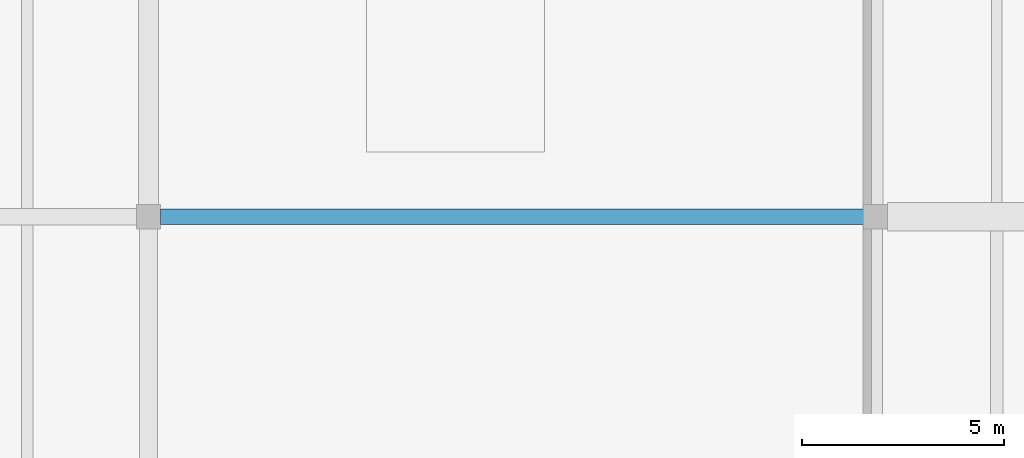
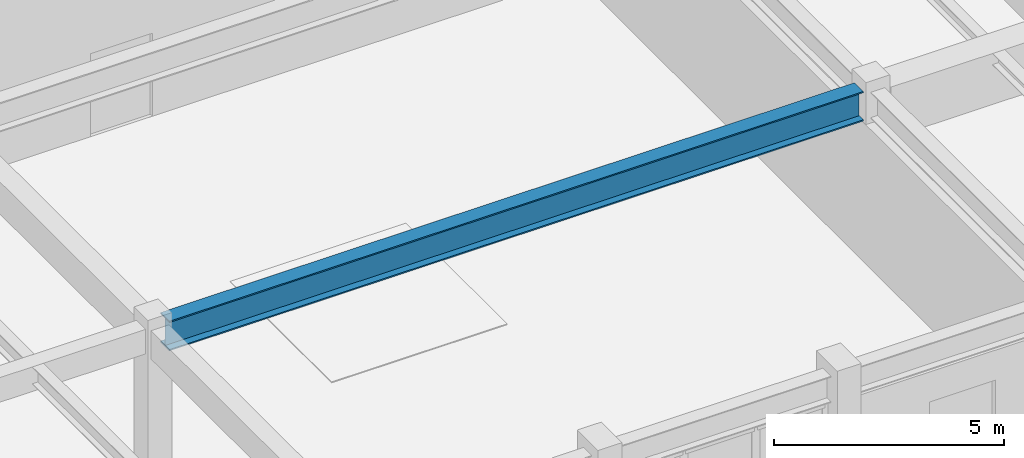
# One storey, part 12 of 80: 1 beam.
"""IFC4 building model written with IfcOpenShell, lengths in metres."""

from ifc_helpers import new_model, si_unit, direction, frame, origin, origin_2d, place, context, subcontext, project, spatial, i_section, extrude, material, material_profile, profile_set, type_object, element, save


model = new_model("IFC4")

# Units and contexts
model_context = context("Model", 3, precision=1e-05, world=origin(), true_north=direction((0.0, 1.0)))
body_context = subcontext(model_context, "Body", "Model", "MODEL_VIEW")
ifc_project = project(units=[si_unit("LENGTHUNIT", "METRE"), si_unit("AREAUNIT", "SQUARE_METRE"), si_unit("VOLUMEUNIT", "CUBIC_METRE"), si_unit("PLANEANGLEUNIT", "RADIAN"), si_unit("MASSUNIT", "GRAM", prefix="KILO")], contexts=[model_context])

# Site, building, storey
site_placement = place(None, origin())
site = spatial("IfcSite", under=ifc_project, at=site_placement, CompositionType="ELEMENT")
building_placement = place(site_placement, origin())
building = spatial("IfcBuilding", under=site, at=building_placement, Name="Vaelkrest Opera House", CompositionType="ELEMENT")
storey_placement = place(building_placement, frame((0.0, 0.0, 15.0)))
storey = spatial("IfcBuildingStorey", under=building, at=storey_placement, Name="L03", CompositionType="ELEMENT", Elevation=15.0)

# Beam
ifc_material = material(Name="Steel A992 Gr50", Category="steel")
ifc_material_profile = material_profile(ifc_material, i_section(OverallWidth=0.384033203125, OverallDepth=0.785888671875, WebThickness=0.019775390625, FlangeThickness=0.033447265625, at=origin_2d()), Name="W30X211")
ifc_profile_set = profile_set([ifc_material_profile], Name="Steel A992 Gr50")
beam_type = type_object("IfcBeamType", Name="B16", PredefinedType="BEAM", material=ifc_profile_set)
beam_placement = place(storey_placement, frame((-69.300048828125, -7.800048828125, 4.112060546875), z_axis=(1.0, 0.0, 0.0), x_axis=(0.0, 1.0, 0.0)))
element("IfcBeam", 1, at=beam_placement, inside=storey, type_object=beam_type, Name="Beam BM-V3-L03-1742", PredefinedType="BEAM", context=body_context, shape_type="SweptSolid", body=[
    extrude(i_section(OverallWidth=0.384033203125, OverallDepth=0.785888671875, WebThickness=0.019775390625, FlangeThickness=0.033447265625, at=origin_2d()), origin(), (0.0, 0.0, 1.0), 17.400146484375),
])

save(model, "model.ifc")
